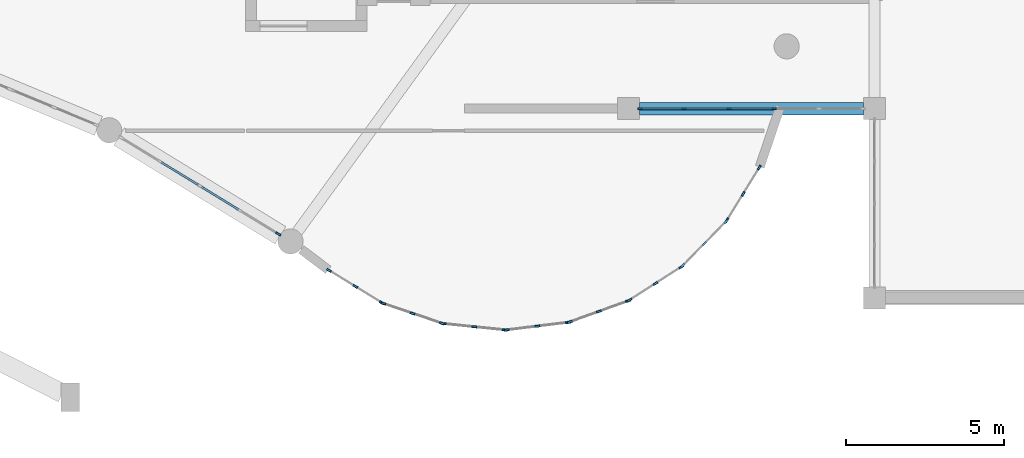
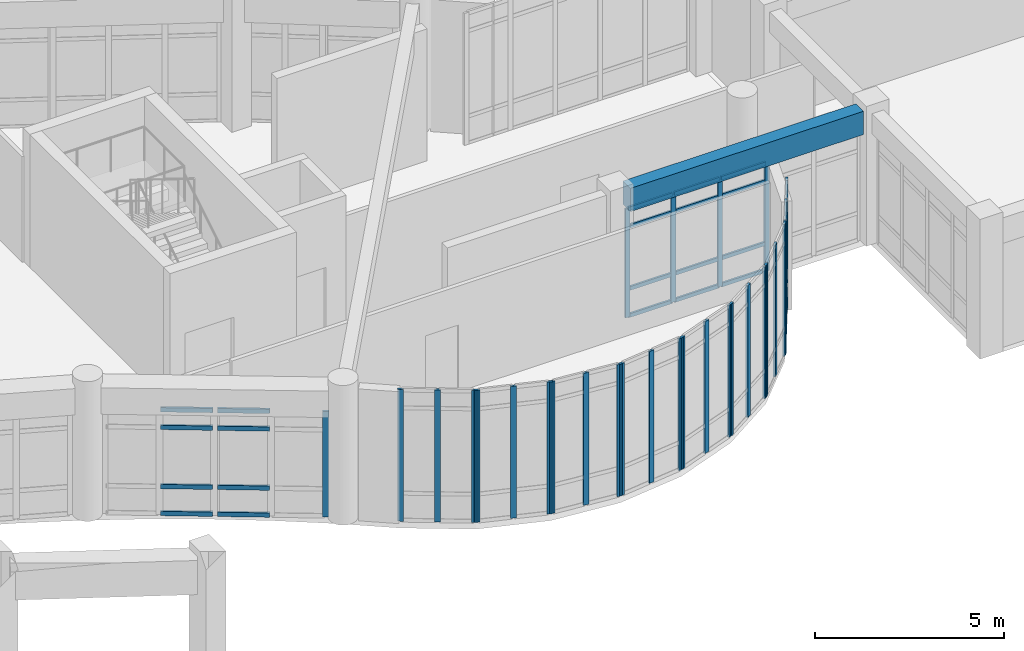
# One storey, part 16 of 57: 49 members, 1 beam, 11 elements without a shape of their own.
"""IFC4 building model written with IfcOpenShell, lengths in metres."""

from ifc_helpers import new_model, si_unit, direction, frame, origin, origin_2d, place, context, subcontext, project, spatial, rectangle, extrude, material, layer, layer_set, material_profile, profile_set, type_object, element, aggregate, save


model = new_model("IFC4")

# Units and contexts
model_context = context("Model", 3, precision=1e-05, world=origin(), true_north=direction((0.0, 1.0)))
body_context = subcontext(model_context, "Body", "Model", "MODEL_VIEW")
ifc_project = project(units=[si_unit("LENGTHUNIT", "METRE"), si_unit("AREAUNIT", "SQUARE_METRE"), si_unit("VOLUMEUNIT", "CUBIC_METRE"), si_unit("PLANEANGLEUNIT", "RADIAN"), si_unit("MASSUNIT", "GRAM", prefix="KILO")], contexts=[model_context])

# Site, building, storey
site_placement = place(None, origin())
site = spatial("IfcSite", under=ifc_project, at=site_placement, CompositionType="ELEMENT")
building_placement = place(site_placement, origin())
building = spatial("IfcBuilding", under=site, at=building_placement, Name="Miralva Faculty of Natural Sciences", CompositionType="ELEMENT")
storey_placement = place(building_placement, frame((0.0, 0.0, 15.0)))
storey = spatial("IfcBuildingStorey", under=building, at=storey_placement, Name="L03", CompositionType="ELEMENT", Elevation=15.0)

# Beam
ifc_material_1 = material(Name="Concrete C40/50", Category="concrete")
ifc_material_profile_1 = material_profile(ifc_material_1, rectangle(XDim=0.39990234375, YDim=0.75, at=origin_2d()), Name="RC 400x750")
ifc_profile_set_1 = profile_set([ifc_material_profile_1], Name="Concrete C40/50")
beam_type = type_object("IfcBeamType", Name="BM-B03", PredefinedType="BEAM", material=ifc_profile_set_1)
beam_placement = place(storey_placement, frame((126.35009765625, 18.0, 3.885009765625), z_axis=(1.0, 0.0, 0.0), x_axis=(0.0, 1.0, 0.0)))
element("IfcBeam", 1, at=beam_placement, inside=storey, type_object=beam_type, Name="Girder EW L03-14", PredefinedType="BEAM", context=body_context, shape_type="SweptSolid", body=[
    extrude(rectangle(XDim=0.39990234375, YDim=0.75, at=origin_2d()), origin(), (0.0, 0.0, 1.0), 7.099853515625),
])

# Curtain wall, member
ifc_material_2 = material(Name="Laminated solar-control glass", Category="glass")
ifc_layer_1 = layer(ifc_material_2, 0.179931640625, Name="CW-ARC-L03")
ifc_layer_set_1 = layer_set([ifc_layer_1], Name="Laminated solar-control glass")
curtain_wall_type_1 = type_object("IfcCurtainWallType", Name="CW-ARC-L03", PredefinedType="USERDEFINED", material=ifc_layer_set_1)
curtain_wall_1_placement = place(storey_placement, origin())
curtain_wall_1 = element("IfcCurtainWall", 2, at=curtain_wall_1_placement, inside=storey, type_object=curtain_wall_type_1, Name="Curtain wall CW-03 L03-124", ObjectType="UNITISED CURTAIN WALL", PredefinedType="USERDEFINED")
ifc_material_3 = material(Name="Anodised aluminium", Category="aluminium")
ifc_material_profile_2 = material_profile(ifc_material_3, rectangle(XDim=0.06494140625, YDim=0.179931640625, at=origin_2d()), Name="MULLION 65x180")
ifc_profile_set_2 = profile_set([ifc_material_profile_2], Name="Anodised aluminium")
member_type_1 = type_object("IfcMemberType", Name="CW-M01", PredefinedType="MULLION", material=ifc_profile_set_2)
member_1_placement = place(storey_placement, frame((114.884765625, 14.02685546875, 0.0), z_axis=(0.0, 0.0, 1.0), x_axis=(0.522489018681, 0.852646014098, 0.0)))
member_1 = element("IfcMember", 3, at=member_1_placement, type_object=member_type_1, Name="CW-03 mullion 3", PredefinedType="MULLION", context=body_context, shape_type="SweptSolid", body=[
    extrude(rectangle(XDim=0.06494140625, YDim=0.179931640625, at=origin_2d()), origin(), (0.0, 0.0, 1.0), 3.405029296875),
])

# Curtain wall, members
ifc_layer_2 = layer(ifc_material_2, 0.179931640625, Name="CW-RND-L03")
ifc_layer_set_2 = layer_set([ifc_layer_2], Name="Laminated solar-control glass")
curtain_wall_type_2 = type_object("IfcCurtainWallType", Name="CW-RND-L03", PredefinedType="USERDEFINED", material=ifc_layer_set_2)
curtain_wall_2_placement = place(storey_placement, origin())
curtain_wall_2 = element("IfcCurtainWall", 4, at=curtain_wall_2_placement, inside=storey, type_object=curtain_wall_type_2, Name="Curtain wall CW-06 L03-149", ObjectType="UNITISED CURTAIN WALL", PredefinedType="USERDEFINED")
ifc_material_profile_3 = material_profile(ifc_material_3, rectangle(XDim=0.06494140625, YDim=0.159912109375, at=origin_2d()), Name="MULLION 65x160")
ifc_profile_set_3 = profile_set([ifc_material_profile_3], Name="Anodised aluminium")
member_type_2 = type_object("IfcMemberType", Name="CW-M02", PredefinedType="MULLION", material=ifc_profile_set_3)
member_2_placement = place(storey_placement, frame((129.12353515625, 14.46337890625, 0.0), z_axis=(0.0, 0.0, 1.0), x_axis=(-0.851994617353, 0.523550543884, 0.0)))
member_2 = element("IfcMember", 5, at=member_2_placement, type_object=member_type_2, Name="CW-06 mullion 1", PredefinedType="MULLION", context=body_context, shape_type="SweptSolid", body=[
    extrude(rectangle(XDim=0.06494140625, YDim=0.159912109375, at=origin_2d()), origin(), (0.0, 0.0, 1.0), 4.25),
])
member_3_placement = place(storey_placement, frame((129.635498046875, 15.29638671875, 0.0), z_axis=(0.0, 0.0, 1.0), x_axis=(-0.851994617353, 0.523550543884, 0.0)))
member_3 = element("IfcMember", 6, at=member_3_placement, type_object=member_type_2, Name="CW-06 mullion 2", PredefinedType="MULLION", context=body_context, shape_type="SweptSolid", body=[
    extrude(rectangle(XDim=0.06494140625, YDim=0.159912109375, at=origin_2d()), origin(), (0.0, 0.0, 1.0), 4.25),
])
member_4_placement = place(storey_placement, frame((130.147216796875, 16.12939453125, 0.0), z_axis=(0.0, 0.0, 1.0), x_axis=(-0.851994617353, 0.523550543884, 0.0)))
member_4 = element("IfcMember", 7, at=member_4_placement, type_object=member_type_2, Name="CW-06 mullion 3", PredefinedType="MULLION", context=body_context, shape_type="SweptSolid", body=[
    extrude(rectangle(XDim=0.06494140625, YDim=0.159912109375, at=origin_2d()), origin(), (0.0, 0.0, 1.0), 4.25),
])
aggregate(curtain_wall_2, [member_2, member_3, member_4])

curtain_wall_3_placement = place(storey_placement, origin())
curtain_wall_3 = element("IfcCurtainWall", 8, at=curtain_wall_3_placement, inside=storey, type_object=curtain_wall_type_2, Name="Curtain wall CW-06 L03-150", ObjectType="UNITISED CURTAIN WALL", PredefinedType="USERDEFINED")
member_5_placement = place(storey_placement, frame((127.718505859375, 13.01953125, 0.0), z_axis=(0.0, 0.0, 1.0), x_axis=(-0.714124749017, 0.700018458929, 0.0)))
member_5 = element("IfcMember", 9, at=member_5_placement, type_object=member_type_2, Name="CW-06 mullion 1", PredefinedType="MULLION", context=body_context, shape_type="SweptSolid", body=[
    extrude(rectangle(XDim=0.06494140625, YDim=0.159912109375, at=origin_2d()), origin(), (0.0, 0.0, 1.0), 4.25),
])
member_6_placement = place(storey_placement, frame((128.40283203125, 13.7177734375, 0.0), z_axis=(0.0, 0.0, 1.0), x_axis=(-0.714124749017, 0.700018458929, 0.0)))
member_6 = element("IfcMember", 10, at=member_6_placement, type_object=member_type_2, Name="CW-06 mullion 2", PredefinedType="MULLION", context=body_context, shape_type="SweptSolid", body=[
    extrude(rectangle(XDim=0.06494140625, YDim=0.159912109375, at=origin_2d()), origin(), (0.0, 0.0, 1.0), 4.25),
])
member_7_placement = place(storey_placement, frame((129.087158203125, 14.416015625, 0.0), z_axis=(0.0, 0.0, 1.0), x_axis=(-0.714124749017, 0.700018458929, 0.0)))
member_7 = element("IfcMember", 11, at=member_7_placement, type_object=member_type_2, Name="CW-06 mullion 3", PredefinedType="MULLION", context=body_context, shape_type="SweptSolid", body=[
    extrude(rectangle(XDim=0.06494140625, YDim=0.159912109375, at=origin_2d()), origin(), (0.0, 0.0, 1.0), 4.25),
])
aggregate(curtain_wall_3, [member_5, member_6, member_7])

curtain_wall_4_placement = place(storey_placement, origin())
curtain_wall_4 = element("IfcCurtainWall", 12, at=curtain_wall_4_placement, inside=storey, type_object=curtain_wall_type_2, Name="Curtain wall CW-06 L03-151", ObjectType="UNITISED CURTAIN WALL", PredefinedType="USERDEFINED")
member_8_placement = place(storey_placement, frame((126.02734375, 11.9248046875, 0.0), z_axis=(0.0, 0.0, 1.0), x_axis=(-0.540444854725, 0.841379438185, 0.0)))
member_8 = element("IfcMember", 13, at=member_8_placement, type_object=member_type_2, Name="CW-06 mullion 1", PredefinedType="MULLION", context=body_context, shape_type="SweptSolid", body=[
    extrude(rectangle(XDim=0.06494140625, YDim=0.159912109375, at=origin_2d()), origin(), (0.0, 0.0, 1.0), 4.25),
])
member_9_placement = place(storey_placement, frame((126.849853515625, 12.453125, 0.0), z_axis=(0.0, 0.0, 1.0), x_axis=(-0.540444854725, 0.841379438185, 0.0)))
member_9 = element("IfcMember", 14, at=member_9_placement, type_object=member_type_2, Name="CW-06 mullion 2", PredefinedType="MULLION", context=body_context, shape_type="SweptSolid", body=[
    extrude(rectangle(XDim=0.06494140625, YDim=0.159912109375, at=origin_2d()), origin(), (0.0, 0.0, 1.0), 4.25),
])
member_10_placement = place(storey_placement, frame((127.672607421875, 12.9814453125, 0.0), z_axis=(0.0, 0.0, 1.0), x_axis=(-0.540444854725, 0.841379438185, 0.0)))
member_10 = element("IfcMember", 15, at=member_10_placement, type_object=member_type_2, Name="CW-06 mullion 3", PredefinedType="MULLION", context=body_context, shape_type="SweptSolid", body=[
    extrude(rectangle(XDim=0.06494140625, YDim=0.159912109375, at=origin_2d()), origin(), (0.0, 0.0, 1.0), 4.25),
])
aggregate(curtain_wall_4, [member_8, member_9, member_10])

curtain_wall_5_placement = place(storey_placement, origin())
curtain_wall_5 = element("IfcCurtainWall", 16, at=curtain_wall_5_placement, inside=storey, type_object=curtain_wall_type_2, Name="Curtain wall CW-06 L03-152", ObjectType="UNITISED CURTAIN WALL", PredefinedType="USERDEFINED")
member_11_placement = place(storey_placement, frame((124.135009765625, 11.233642578125, 0.0), z_axis=(0.0, 0.0, 1.0), x_axis=(-0.339695547876, 0.940535451088, 0.0)))
member_11 = element("IfcMember", 17, at=member_11_placement, type_object=member_type_2, Name="CW-06 mullion 1", PredefinedType="MULLION", context=body_context, shape_type="SweptSolid", body=[
    extrude(rectangle(XDim=0.06494140625, YDim=0.159912109375, at=origin_2d()), origin(), (0.0, 0.0, 1.0), 4.25),
])
member_12_placement = place(storey_placement, frame((125.0546875, 11.565673828125, 0.0), z_axis=(0.0, 0.0, 1.0), x_axis=(-0.339695547876, 0.940535451088, 0.0)))
member_12 = element("IfcMember", 18, at=member_12_placement, type_object=member_type_2, Name="CW-06 mullion 2", PredefinedType="MULLION", context=body_context, shape_type="SweptSolid", body=[
    extrude(rectangle(XDim=0.06494140625, YDim=0.159912109375, at=origin_2d()), origin(), (0.0, 0.0, 1.0), 4.25),
])
member_13_placement = place(storey_placement, frame((125.97412109375, 11.89794921875, 0.0), z_axis=(0.0, 0.0, 1.0), x_axis=(-0.339695547876, 0.940535451088, 0.0)))
member_13 = element("IfcMember", 19, at=member_13_placement, type_object=member_type_2, Name="CW-06 mullion 3", PredefinedType="MULLION", context=body_context, shape_type="SweptSolid", body=[
    extrude(rectangle(XDim=0.06494140625, YDim=0.159912109375, at=origin_2d()), origin(), (0.0, 0.0, 1.0), 4.25),
])
aggregate(curtain_wall_5, [member_11, member_12, member_13])

curtain_wall_6_placement = place(storey_placement, origin())
curtain_wall_6 = element("IfcCurtainWall", 20, at=curtain_wall_6_placement, inside=storey, type_object=curtain_wall_type_2, Name="Curtain wall CW-06 L03-153", ObjectType="UNITISED CURTAIN WALL", PredefinedType="USERDEFINED")
member_14_placement = place(storey_placement, frame((122.136474609375, 10.98095703125, 0.0), z_axis=(0.0, 0.0, 1.0), x_axis=(-0.121859649701, 0.99254734183, 0.0)))
member_14 = element("IfcMember", 21, at=member_14_placement, type_object=member_type_2, Name="CW-06 mullion 1", PredefinedType="MULLION", context=body_context, shape_type="SweptSolid", body=[
    extrude(rectangle(XDim=0.06494140625, YDim=0.159912109375, at=origin_2d()), origin(), (0.0, 0.0, 1.0), 4.25),
])
member_15_placement = place(storey_placement, frame((123.10693359375, 11.10009765625, 0.0), z_axis=(0.0, 0.0, 1.0), x_axis=(-0.121859649701, 0.99254734183, 0.0)))
member_15 = element("IfcMember", 22, at=member_15_placement, type_object=member_type_2, Name="CW-06 mullion 2", PredefinedType="MULLION", context=body_context, shape_type="SweptSolid", body=[
    extrude(rectangle(XDim=0.06494140625, YDim=0.159912109375, at=origin_2d()), origin(), (0.0, 0.0, 1.0), 4.25),
])
member_16_placement = place(storey_placement, frame((124.0771484375, 11.21923828125, 0.0), z_axis=(0.0, 0.0, 1.0), x_axis=(-0.121859649701, 0.99254734183, 0.0)))
member_16 = element("IfcMember", 23, at=member_16_placement, type_object=member_type_2, Name="CW-06 mullion 3", PredefinedType="MULLION", context=body_context, shape_type="SweptSolid", body=[
    extrude(rectangle(XDim=0.06494140625, YDim=0.159912109375, at=origin_2d()), origin(), (0.0, 0.0, 1.0), 4.25),
])
aggregate(curtain_wall_6, [member_14, member_15, member_16])

curtain_wall_7_placement = place(storey_placement, origin())
curtain_wall_7 = element("IfcCurtainWall", 24, at=curtain_wall_7_placement, inside=storey, type_object=curtain_wall_type_2, Name="Curtain wall CW-06 L03-154", ObjectType="UNITISED CURTAIN WALL", PredefinedType="USERDEFINED")
member_17_placement = place(storey_placement, frame((120.131591796875, 11.179443359375, 0.0), z_axis=(0.0, 0.0, 1.0), x_axis=(0.102056494477, 0.994778604482, 0.0)))
member_17 = element("IfcMember", 25, at=member_17_placement, type_object=member_type_2, Name="CW-06 mullion 1", PredefinedType="MULLION", context=body_context, shape_type="SweptSolid", body=[
    extrude(rectangle(XDim=0.06494140625, YDim=0.159912109375, at=origin_2d()), origin(), (0.0, 0.0, 1.0), 4.25),
])
member_18_placement = place(storey_placement, frame((121.104248046875, 11.07958984375, 0.0), z_axis=(0.0, 0.0, 1.0), x_axis=(0.102056494477, 0.994778604482, 0.0)))
member_18 = element("IfcMember", 26, at=member_18_placement, type_object=member_type_2, Name="CW-06 mullion 2", PredefinedType="MULLION", context=body_context, shape_type="SweptSolid", body=[
    extrude(rectangle(XDim=0.06494140625, YDim=0.159912109375, at=origin_2d()), origin(), (0.0, 0.0, 1.0), 4.25),
])
member_19_placement = place(storey_placement, frame((122.076904296875, 10.979736328125, 0.0), z_axis=(0.0, 0.0, 1.0), x_axis=(0.102056494477, 0.994778604482, 0.0)))
member_19 = element("IfcMember", 27, at=member_19_placement, type_object=member_type_2, Name="CW-06 mullion 3", PredefinedType="MULLION", context=body_context, shape_type="SweptSolid", body=[
    extrude(rectangle(XDim=0.06494140625, YDim=0.159912109375, at=origin_2d()), origin(), (0.0, 0.0, 1.0), 4.25),
])
aggregate(curtain_wall_7, [member_17, member_18, member_19])

curtain_wall_8_placement = place(storey_placement, origin())
curtain_wall_8 = element("IfcCurtainWall", 28, at=curtain_wall_8_placement, inside=storey, type_object=curtain_wall_type_2, Name="Curtain wall CW-06 L03-155", ObjectType="UNITISED CURTAIN WALL", PredefinedType="USERDEFINED")
member_20_placement = place(storey_placement, frame((118.22119140625, 11.81884765625, 0.0), z_axis=(0.0, 0.0, 1.0), x_axis=(0.320842126361, 0.947132688672, 0.0)))
member_20 = element("IfcMember", 29, at=member_20_placement, type_object=member_type_2, Name="CW-06 mullion 1", PredefinedType="MULLION", context=body_context, shape_type="SweptSolid", body=[
    extrude(rectangle(XDim=0.06494140625, YDim=0.159912109375, at=origin_2d()), origin(), (0.0, 0.0, 1.0), 4.25),
])
member_21_placement = place(storey_placement, frame((119.147216796875, 11.505126953125, 0.0), z_axis=(0.0, 0.0, 1.0), x_axis=(0.320842126361, 0.947132688672, 0.0)))
member_21 = element("IfcMember", 30, at=member_21_placement, type_object=member_type_2, Name="CW-06 mullion 2", PredefinedType="MULLION", context=body_context, shape_type="SweptSolid", body=[
    extrude(rectangle(XDim=0.06494140625, YDim=0.159912109375, at=origin_2d()), origin(), (0.0, 0.0, 1.0), 4.25),
])
member_22_placement = place(storey_placement, frame((120.0732421875, 11.19140625, 0.0), z_axis=(0.0, 0.0, 1.0), x_axis=(0.320842126361, 0.947132688672, 0.0)))
member_22 = element("IfcMember", 31, at=member_22_placement, type_object=member_type_2, Name="CW-06 mullion 3", PredefinedType="MULLION", context=body_context, shape_type="SweptSolid", body=[
    extrude(rectangle(XDim=0.06494140625, YDim=0.159912109375, at=origin_2d()), origin(), (0.0, 0.0, 1.0), 4.25),
])
aggregate(curtain_wall_8, [member_20, member_21, member_22])

curtain_wall_9_placement = place(storey_placement, origin())
curtain_wall_9 = element("IfcCurtainWall", 32, at=curtain_wall_9_placement, inside=storey, type_object=curtain_wall_type_2, Name="Curtain wall CW-06 L03-156", ObjectType="UNITISED CURTAIN WALL", PredefinedType="USERDEFINED")
member_23_placement = place(storey_placement, frame((116.496826171875, 12.8701171875, 0.0), z_axis=(0.0, 0.0, 1.0), x_axis=(0.523535366458, 0.852003943693, 0.0)))
member_23 = element("IfcMember", 33, at=member_23_placement, type_object=member_type_2, Name="CW-06 mullion 1", PredefinedType="MULLION", context=body_context, shape_type="SweptSolid", body=[
    extrude(rectangle(XDim=0.06494140625, YDim=0.159912109375, at=origin_2d()), origin(), (0.0, 0.0, 1.0), 4.25),
])
member_24_placement = place(storey_placement, frame((117.33203125, 12.35693359375, 0.0), z_axis=(0.0, 0.0, 1.0), x_axis=(0.523535366458, 0.852003943693, 0.0)))
member_24 = element("IfcMember", 34, at=member_24_placement, type_object=member_type_2, Name="CW-06 mullion 2", PredefinedType="MULLION", context=body_context, shape_type="SweptSolid", body=[
    extrude(rectangle(XDim=0.06494140625, YDim=0.159912109375, at=origin_2d()), origin(), (0.0, 0.0, 1.0), 4.25),
])
member_25_placement = place(storey_placement, frame((118.1669921875, 11.84375, 0.0), z_axis=(0.0, 0.0, 1.0), x_axis=(0.523535366458, 0.852003943693, 0.0)))
member_25 = element("IfcMember", 35, at=member_25_placement, type_object=member_type_2, Name="CW-06 mullion 3", PredefinedType="MULLION", context=body_context, shape_type="SweptSolid", body=[
    extrude(rectangle(XDim=0.06494140625, YDim=0.159912109375, at=origin_2d()), origin(), (0.0, 0.0, 1.0), 4.25),
])
aggregate(curtain_wall_9, [member_23, member_24, member_25])

ifc_layer_3 = layer(ifc_material_2, 0.179931640625, Name="CW-COM-L01")
ifc_layer_set_3 = layer_set([ifc_layer_3], Name="Laminated solar-control glass")
curtain_wall_type_3 = type_object("IfcCurtainWallType", Name="CW-COM-L01", PredefinedType="USERDEFINED", material=ifc_layer_set_3)
curtain_wall_10_placement = place(storey_placement, origin())
curtain_wall_10 = element("IfcCurtainWall", 36, at=curtain_wall_10_placement, inside=storey, type_object=curtain_wall_type_3, Name="Curtain wall CW-10 L03-302", ObjectType="UNITISED CURTAIN WALL", PredefinedType="USERDEFINED")
ifc_material_profile_4 = material_profile(ifc_material_3, rectangle(XDim=0.06005859375, YDim=0.139892578125, at=origin_2d()), Name="MULLION 60x140")
ifc_profile_set_4 = profile_set([ifc_material_profile_4], Name="Anodised aluminium")
member_type_3 = type_object("IfcMemberType", Name="CW-M03", PredefinedType="MULLION", material=ifc_profile_set_4)
member_26_placement = place(storey_placement, frame((126.364990234375, 18.0, 0.0), z_axis=(0.0, 0.0, 1.0), x_axis=(0.0, 1.0, 0.0)))
member_26 = element("IfcMember", 37, at=member_26_placement, type_object=member_type_3, Name="CW-10 mullion 1", PredefinedType="MULLION", context=body_context, shape_type="SweptSolid", body=[
    extrude(rectangle(XDim=0.06005859375, YDim=0.139892578125, at=origin_2d()), origin(), (0.0, 0.0, 1.0), 3.5048828125),
])
member_27_placement = place(storey_placement, frame((127.760986328125, 18.0, 0.0), z_axis=(0.0, 0.0, 1.0), x_axis=(0.0, 1.0, 0.0)))
member_27 = element("IfcMember", 38, at=member_27_placement, type_object=member_type_3, Name="CW-10 mullion 2", PredefinedType="MULLION", context=body_context, shape_type="SweptSolid", body=[
    extrude(rectangle(XDim=0.06005859375, YDim=0.139892578125, at=origin_2d()), origin(), (0.0, 0.0, 1.0), 3.5048828125),
])
member_28_placement = place(storey_placement, frame((129.18701171875, 18.0, 0.0), z_axis=(0.0, 0.0, 1.0), x_axis=(0.0, 1.0, 0.0)))
member_28 = element("IfcMember", 39, at=member_28_placement, type_object=member_type_3, Name="CW-10 mullion 3", PredefinedType="MULLION", context=body_context, shape_type="SweptSolid", body=[
    extrude(rectangle(XDim=0.06005859375, YDim=0.139892578125, at=origin_2d()), origin(), (0.0, 0.0, 1.0), 3.5048828125),
])
member_29_placement = place(storey_placement, frame((130.613037109375, 18.0, 0.0), z_axis=(0.0, 0.0, 1.0), x_axis=(0.0, 1.0, 0.0)))
member_29 = element("IfcMember", 40, at=member_29_placement, type_object=member_type_3, Name="CW-10 mullion 4", PredefinedType="MULLION", context=body_context, shape_type="SweptSolid", body=[
    extrude(rectangle(XDim=0.06005859375, YDim=0.139892578125, at=origin_2d()), origin(), (0.0, 0.0, 1.0), 3.5048828125),
])

curtain_wall_11_placement = place(storey_placement, origin())
curtain_wall_11 = element("IfcCurtainWall", 41, at=curtain_wall_11_placement, inside=storey, type_object=curtain_wall_type_1, Name="Curtain wall CW-03 L03-123", ObjectType="UNITISED CURTAIN WALL", PredefinedType="USERDEFINED")
ifc_material_profile_5 = material_profile(ifc_material_3, rectangle(XDim=0.06494140625, YDim=0.139892578125, at=origin_2d()), Name="TRANSOM 65x140")
ifc_profile_set_5 = profile_set([ifc_material_profile_5], Name="Anodised aluminium")
member_type_4 = type_object("IfcMemberType", Name="CW-T01", PredefinedType="USERDEFINED", material=ifc_profile_set_5)
member_30_placement = place(storey_placement, frame((111.168701171875, 16.303955078125, 0.032470703125), z_axis=(0.852636925059, -0.522503850728, 0.0), x_axis=(0.522503850728, 0.852636925059, 0.0)))
member_30 = element("IfcMember", 42, at=member_30_placement, type_object=member_type_4, Name="CW-03 transom 2.1", ObjectType="TRANSOM", PredefinedType="USERDEFINED", context=body_context, shape_type="SweptSolid", body=[
    extrude(rectangle(XDim=0.06494140625, YDim=0.139892578125, at=origin_2d()), origin(), (0.0, 0.0, 1.0), 1.376953125),
])
member_31_placement = place(storey_placement, frame((111.168701171875, 16.303955078125, 0.89990234375), z_axis=(0.852636925059, -0.522503850728, 0.0), x_axis=(0.522503850728, 0.852636925059, 0.0)))
member_31 = element("IfcMember", 43, at=member_31_placement, type_object=member_type_4, Name="CW-03 transom 2.2", ObjectType="TRANSOM", PredefinedType="USERDEFINED", context=body_context, shape_type="SweptSolid", body=[
    extrude(rectangle(XDim=0.06494140625, YDim=0.139892578125, at=origin_2d()), origin(), (0.0, 0.0, 1.0), 1.376953125),
])
member_32_placement = place(storey_placement, frame((111.168701171875, 16.303955078125, 2.804931640625), z_axis=(0.852636925059, -0.522503850728, 0.0), x_axis=(0.522503850728, 0.852636925059, 0.0)))
member_32 = element("IfcMember", 44, at=member_32_placement, type_object=member_type_4, Name="CW-03 transom 2.3", ObjectType="TRANSOM", PredefinedType="USERDEFINED", context=body_context, shape_type="SweptSolid", body=[
    extrude(rectangle(XDim=0.06494140625, YDim=0.139892578125, at=origin_2d()), origin(), (0.0, 0.0, 1.0), 1.376953125),
])
member_33_placement = place(storey_placement, frame((111.168701171875, 16.303955078125, 3.37255859375), z_axis=(0.852636925059, -0.522503850728, 0.0), x_axis=(0.522503850728, 0.852636925059, 0.0)))
member_33 = element("IfcMember", 45, at=member_33_placement, type_object=member_type_4, Name="CW-03 transom 2.4", ObjectType="TRANSOM", PredefinedType="USERDEFINED", context=body_context, shape_type="SweptSolid", body=[
    extrude(rectangle(XDim=0.06494140625, YDim=0.139892578125, at=origin_2d()), origin(), (0.0, 0.0, 1.0), 1.376953125),
])
aggregate(curtain_wall_11, [member_30, member_31, member_32, member_33])

# Member
member_34_placement = place(storey_placement, frame((112.44921875, 15.51904296875, 0.032470703125), z_axis=(0.852677549803, -0.522437552308, 0.0), x_axis=(0.522437552308, 0.852677549803, 0.0)))
member_34 = element("IfcMember", 46, at=member_34_placement, type_object=member_type_4, Name="CW-03 transom 1.1", ObjectType="TRANSOM", PredefinedType="USERDEFINED", context=body_context, shape_type="SweptSolid", body=[
    extrude(rectangle(XDim=0.06494140625, YDim=0.139892578125, at=origin_2d()), origin(), (0.0, 0.0, 1.0), 1.37939453125),
])

member_35_placement = place(storey_placement, frame((112.44921875, 15.51904296875, 0.89990234375), z_axis=(0.852677549803, -0.522437552308, 0.0), x_axis=(0.522437552308, 0.852677549803, 0.0)))
member_35 = element("IfcMember", 47, at=member_35_placement, type_object=member_type_4, Name="CW-03 transom 1.2", ObjectType="TRANSOM", PredefinedType="USERDEFINED", context=body_context, shape_type="SweptSolid", body=[
    extrude(rectangle(XDim=0.06494140625, YDim=0.139892578125, at=origin_2d()), origin(), (0.0, 0.0, 1.0), 1.37939453125),
])

member_36_placement = place(storey_placement, frame((112.44921875, 15.51904296875, 2.804931640625), z_axis=(0.852677549803, -0.522437552308, 0.0), x_axis=(0.522437552308, 0.852677549803, 0.0)))
member_36 = element("IfcMember", 48, at=member_36_placement, type_object=member_type_4, Name="CW-03 transom 1.3", ObjectType="TRANSOM", PredefinedType="USERDEFINED", context=body_context, shape_type="SweptSolid", body=[
    extrude(rectangle(XDim=0.06494140625, YDim=0.139892578125, at=origin_2d()), origin(), (0.0, 0.0, 1.0), 1.37939453125),
])

member_37_placement = place(storey_placement, frame((112.44921875, 15.51904296875, 3.37255859375), z_axis=(0.852677549803, -0.522437552308, 0.0), x_axis=(0.522437552308, 0.852677549803, 0.0)))
member_37 = element("IfcMember", 49, at=member_37_placement, type_object=member_type_4, Name="CW-03 transom 1.4", ObjectType="TRANSOM", PredefinedType="USERDEFINED", context=body_context, shape_type="SweptSolid", body=[
    extrude(rectangle(XDim=0.06494140625, YDim=0.139892578125, at=origin_2d()), origin(), (0.0, 0.0, 1.0), 1.37939453125),
])

aggregate(curtain_wall_1, [member_1, member_34, member_35, member_36, member_37])

ifc_material_profile_6 = material_profile(ifc_material_3, rectangle(XDim=0.06005859375, YDim=0.1201171875, at=origin_2d()), Name="TRANSOM 60x120")
ifc_profile_set_6 = profile_set([ifc_material_profile_6], Name="Anodised aluminium")
member_type_5 = type_object("IfcMemberType", Name="CW-T02", PredefinedType="USERDEFINED", material=ifc_profile_set_6)
member_38_placement = place(storey_placement, frame((126.39501953125, 18.0, 0.030029296875), z_axis=(1.0, 0.0, 0.0), x_axis=(0.0, 1.0, 0.0)))
member_38 = element("IfcMember", 50, at=member_38_placement, type_object=member_type_5, Name="CW-10 transom 1.1", ObjectType="TRANSOM", PredefinedType="USERDEFINED", context=body_context, shape_type="SweptSolid", body=[
    extrude(rectangle(XDim=0.06005859375, YDim=0.1201171875, at=origin_2d()), origin(), (0.0, 0.0, 1.0), 1.3359375),
])

member_39_placement = place(storey_placement, frame((126.39501953125, 18.0, 0.89990234375), z_axis=(1.0, 0.0, 0.0), x_axis=(0.0, 1.0, 0.0)))
member_39 = element("IfcMember", 51, at=member_39_placement, type_object=member_type_5, Name="CW-10 transom 1.2", ObjectType="TRANSOM", PredefinedType="USERDEFINED", context=body_context, shape_type="SweptSolid", body=[
    extrude(rectangle(XDim=0.06005859375, YDim=0.1201171875, at=origin_2d()), origin(), (0.0, 0.0, 1.0), 1.3359375),
])

member_40_placement = place(storey_placement, frame((126.39501953125, 18.0, 2.905029296875), z_axis=(1.0, 0.0, 0.0), x_axis=(0.0, 1.0, 0.0)))
member_40 = element("IfcMember", 52, at=member_40_placement, type_object=member_type_5, Name="CW-10 transom 1.3", ObjectType="TRANSOM", PredefinedType="USERDEFINED", context=body_context, shape_type="SweptSolid", body=[
    extrude(rectangle(XDim=0.06005859375, YDim=0.1201171875, at=origin_2d()), origin(), (0.0, 0.0, 1.0), 1.3359375),
])

member_41_placement = place(storey_placement, frame((126.39501953125, 18.0, 3.47509765625), z_axis=(1.0, 0.0, 0.0), x_axis=(0.0, 1.0, 0.0)))
member_41 = element("IfcMember", 53, at=member_41_placement, type_object=member_type_5, Name="CW-10 transom 1.4", ObjectType="TRANSOM", PredefinedType="USERDEFINED", context=body_context, shape_type="SweptSolid", body=[
    extrude(rectangle(XDim=0.06005859375, YDim=0.1201171875, at=origin_2d()), origin(), (0.0, 0.0, 1.0), 1.3359375),
])

member_42_placement = place(storey_placement, frame((127.791015625, 18.0, 0.030029296875), z_axis=(1.0, 0.0, 0.0), x_axis=(0.0, 1.0, 0.0)))
member_42 = element("IfcMember", 54, at=member_42_placement, type_object=member_type_5, Name="CW-10 transom 2.1", ObjectType="TRANSOM", PredefinedType="USERDEFINED", context=body_context, shape_type="SweptSolid", body=[
    extrude(rectangle(XDim=0.06005859375, YDim=0.1201171875, at=origin_2d()), origin(), (0.0, 0.0, 1.0), 1.365966796875),
])

member_43_placement = place(storey_placement, frame((127.791015625, 18.0, 0.89990234375), z_axis=(1.0, 0.0, 0.0), x_axis=(0.0, 1.0, 0.0)))
member_43 = element("IfcMember", 55, at=member_43_placement, type_object=member_type_5, Name="CW-10 transom 2.2", ObjectType="TRANSOM", PredefinedType="USERDEFINED", context=body_context, shape_type="SweptSolid", body=[
    extrude(rectangle(XDim=0.06005859375, YDim=0.1201171875, at=origin_2d()), origin(), (0.0, 0.0, 1.0), 1.365966796875),
])

member_44_placement = place(storey_placement, frame((127.791015625, 18.0, 2.905029296875), z_axis=(1.0, 0.0, 0.0), x_axis=(0.0, 1.0, 0.0)))
member_44 = element("IfcMember", 56, at=member_44_placement, type_object=member_type_5, Name="CW-10 transom 2.3", ObjectType="TRANSOM", PredefinedType="USERDEFINED", context=body_context, shape_type="SweptSolid", body=[
    extrude(rectangle(XDim=0.06005859375, YDim=0.1201171875, at=origin_2d()), origin(), (0.0, 0.0, 1.0), 1.365966796875),
])

member_45_placement = place(storey_placement, frame((127.791015625, 18.0, 3.47509765625), z_axis=(1.0, 0.0, 0.0), x_axis=(0.0, 1.0, 0.0)))
member_45 = element("IfcMember", 57, at=member_45_placement, type_object=member_type_5, Name="CW-10 transom 2.4", ObjectType="TRANSOM", PredefinedType="USERDEFINED", context=body_context, shape_type="SweptSolid", body=[
    extrude(rectangle(XDim=0.06005859375, YDim=0.1201171875, at=origin_2d()), origin(), (0.0, 0.0, 1.0), 1.365966796875),
])

member_46_placement = place(storey_placement, frame((129.217041015625, 18.0, 0.030029296875), z_axis=(1.0, 0.0, 0.0), x_axis=(0.0, 1.0, 0.0)))
member_46 = element("IfcMember", 58, at=member_46_placement, type_object=member_type_5, Name="CW-10 transom 3.1", ObjectType="TRANSOM", PredefinedType="USERDEFINED", context=body_context, shape_type="SweptSolid", body=[
    extrude(rectangle(XDim=0.06005859375, YDim=0.1201171875, at=origin_2d()), origin(), (0.0, 0.0, 1.0), 1.365966796875),
])

member_47_placement = place(storey_placement, frame((129.217041015625, 18.0, 0.89990234375), z_axis=(1.0, 0.0, 0.0), x_axis=(0.0, 1.0, 0.0)))
member_47 = element("IfcMember", 59, at=member_47_placement, type_object=member_type_5, Name="CW-10 transom 3.2", ObjectType="TRANSOM", PredefinedType="USERDEFINED", context=body_context, shape_type="SweptSolid", body=[
    extrude(rectangle(XDim=0.06005859375, YDim=0.1201171875, at=origin_2d()), origin(), (0.0, 0.0, 1.0), 1.365966796875),
])

member_48_placement = place(storey_placement, frame((129.217041015625, 18.0, 2.905029296875), z_axis=(1.0, 0.0, 0.0), x_axis=(0.0, 1.0, 0.0)))
member_48 = element("IfcMember", 60, at=member_48_placement, type_object=member_type_5, Name="CW-10 transom 3.3", ObjectType="TRANSOM", PredefinedType="USERDEFINED", context=body_context, shape_type="SweptSolid", body=[
    extrude(rectangle(XDim=0.06005859375, YDim=0.1201171875, at=origin_2d()), origin(), (0.0, 0.0, 1.0), 1.365966796875),
])

member_49_placement = place(storey_placement, frame((129.217041015625, 18.0, 3.47509765625), z_axis=(1.0, 0.0, 0.0), x_axis=(0.0, 1.0, 0.0)))
member_49 = element("IfcMember", 61, at=member_49_placement, type_object=member_type_5, Name="CW-10 transom 3.4", ObjectType="TRANSOM", PredefinedType="USERDEFINED", context=body_context, shape_type="SweptSolid", body=[
    extrude(rectangle(XDim=0.06005859375, YDim=0.1201171875, at=origin_2d()), origin(), (0.0, 0.0, 1.0), 1.365966796875),
])

aggregate(curtain_wall_10, [member_26, member_27, member_28, member_29, member_38, member_39, member_40, member_41, member_42, member_43, member_44, member_45, member_46, member_47, member_48, member_49])

save(model, "model.ifc")
